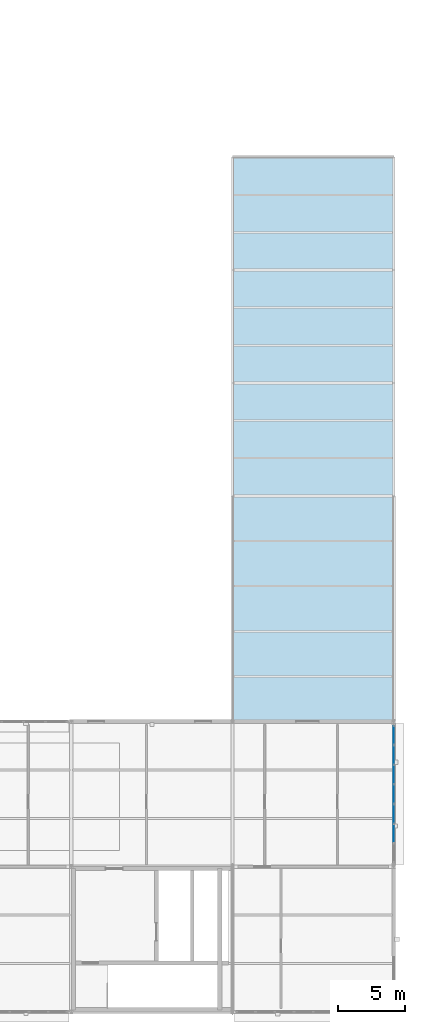
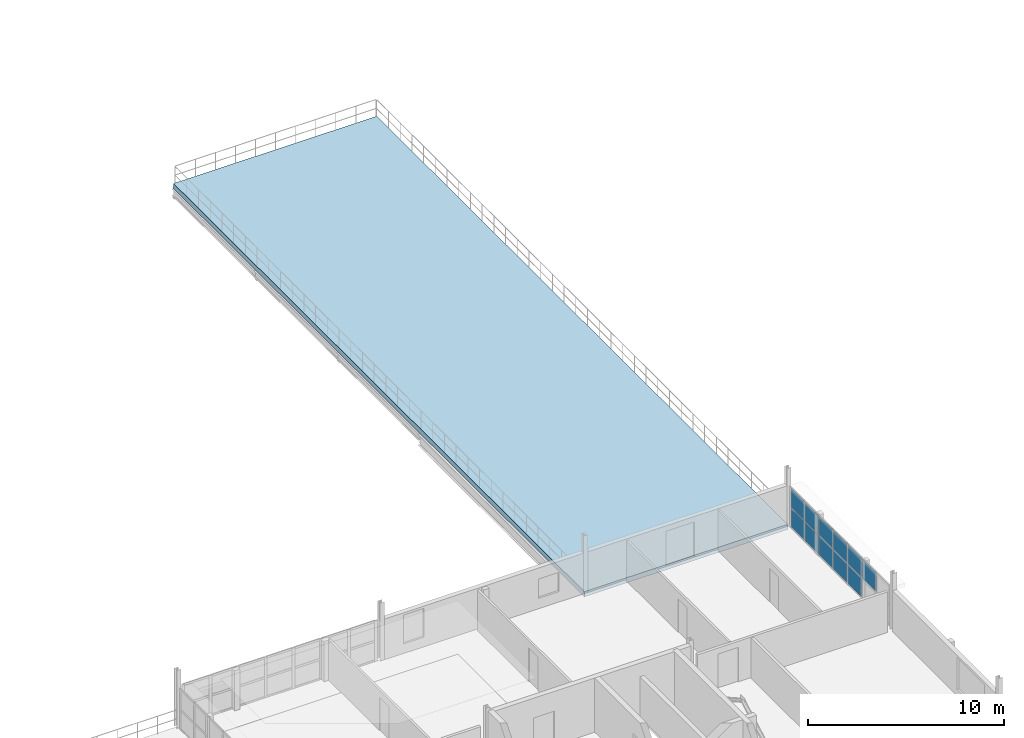
# One storey, part 40 of 62: 11 plates, 1 slab, 1 element without a shape of its own.
"""IFC4 building model written with IfcOpenShell, lengths in metres."""

import ifcopenshell
import ifcopenshell.guid

model = None  # the IFC model being written
_history = None  # IfcOwnerHistory: only IFC2X3 demands one
_inside = {}  # id of a spatial element -> (the spatial element, [elements in it])
_under = {}  # id of a project, library or spatial element -> (it, [spatial elements below it])
_declared = {}  # id of a project -> (the project, [libraries it declares])
_typed = {}  # id of a type object -> (the type object, [elements of that type])
_made_of = {}  # id of a material, layer set ... -> (it, [elements and type objects made of it])


def new_model(schema):
    """Start an empty IFC model of exactly this schema.

    Asked for "IFC4X3", IfcOpenShell would pick the latest addendum, in which some entities
    have other attributes; the version numbers below select the first issue.
    IFC2X3 requires an IfcOwnerHistory on every rooted entity: one is made here for all.
    """
    global model, _history
    if schema == "IFC4X3":
        model = ifcopenshell.file(schema_version=(4, 3, 0, 0))
    else:
        model = ifcopenshell.file(schema=schema)
    _inside.clear()
    _under.clear()
    _declared.clear()
    _typed.clear()
    _made_of.clear()
    _history = None
    if model.schema == "IFC2X3":
        org = make("IfcOrganization", Name="unknown")
        user = make(
            "IfcPersonAndOrganization",
            ThePerson=make("IfcPerson", FamilyName="unknown"),
            TheOrganization=org,
        )
        app = make(
            "IfcApplication",
            ApplicationDeveloper=org,
            Version="unknown",
            ApplicationFullName="unknown",
            ApplicationIdentifier="unknown",
        )
        _history = make(
            "IfcOwnerHistory",
            OwningUser=user,
            OwningApplication=app,
            ChangeAction="ADDED",
            CreationDate=0,
        )
    return model


def make(cls, **values):
    """One entity of the class cls with the attributes given. An attribute that is None is left unset."""
    return model.create_entity(
        cls, **{name: value for name, value in values.items() if value is not None}
    )


def rooted(cls, **values):
    """An entity with a GlobalId (a new one), such as an element, a storey or a relation."""
    return make(cls, GlobalId=ifcopenshell.guid.new(), OwnerHistory=_history, **values)


def si_unit(unit_type, name, prefix=None):
    """IfcSIUnit, for example si_unit("LENGTHUNIT", "METRE", prefix="MILLI")."""
    return make("IfcSIUnit", UnitType=unit_type, Prefix=prefix, Name=name)


def assignment(units):
    """IfcUnitAssignment: the units of a project."""
    return None if units is None else make("IfcUnitAssignment", Units=units)


def point(xyz):
    """IfcCartesianPoint."""
    return None if xyz is None else make("IfcCartesianPoint", Coordinates=xyz)


def direction(xyz):
    """IfcDirection."""
    return None if xyz is None else make("IfcDirection", DirectionRatios=xyz)


def frame(location, z_axis=None, x_axis=None):
    """IfcAxis2Placement3D, a coordinate frame: its origin and axes. An axis left out is left unset."""
    return make(
        "IfcAxis2Placement3D",
        Location=point(location),
        Axis=direction(z_axis),
        RefDirection=direction(x_axis),
    )


def frame_2d(location, x_axis=None):
    """IfcAxis2Placement2D, a coordinate frame in the plane: its origin and x axis."""
    return make(
        "IfcAxis2Placement2D", Location=point(location), RefDirection=direction(x_axis)
    )


def origin():
    """The frame at (0, 0, 0) with its axes left unset."""
    return frame((0.0, 0.0, 0.0))


def origin_2d():
    """The frame at (0, 0) in the plane with its x axis left unset."""
    return frame_2d((0.0, 0.0))


def place(relative_to, where):
    """IfcLocalPlacement: puts the frame where relative to a parent placement (None: the world)."""
    return make(
        "IfcLocalPlacement", PlacementRelTo=relative_to, RelativePlacement=where
    )


def context(
    kind, dimensions, precision=None, world=None, true_north=None, identifier=None
):
    """IfcGeometricRepresentationContext, for example the 3D "Model" context."""
    return make(
        "IfcGeometricRepresentationContext",
        ContextIdentifier=identifier,
        ContextType=kind,
        CoordinateSpaceDimension=dimensions,
        Precision=precision,
        WorldCoordinateSystem=world,
        TrueNorth=true_north,
    )


def subcontext(parent, identifier, kind, view, scale=None):
    """IfcGeometricRepresentationSubContext, for example "Body" below "Model"."""
    return make(
        "IfcGeometricRepresentationSubContext",
        ContextIdentifier=identifier,
        ContextType=kind,
        ParentContext=parent,
        TargetScale=scale,
        TargetView=view,
    )


def project(units=None, contexts=None):
    """IfcProject with its units and contexts."""
    return rooted(
        "IfcProject",
        Name="project",
        RepresentationContexts=contexts,
        UnitsInContext=assignment(units),
    )


def spatial(cls, under=None, at=None, **own):
    """A site, building, storey or space (cls), placed at a placement, below another one or the project."""
    s = rooted(cls, ObjectPlacement=at, **own)
    if under is not None:
        _under.setdefault(under.id(), (under, []))[1].append(s)
    return s


def polyline(points):
    """IfcPolyline through the points."""
    return make("IfcPolyline", Points=[point(p) for p in points])


def profile(cls, at=None, kind="AREA", **sizes):
    """A parametric profile (cls). Its sizes go by their IFC names, for example OverallWidth=200.0."""
    return make(cls, ProfileType=kind, Position=at, **sizes)


def rectangle(**sizes):
    """IfcRectangleProfileDef."""
    return profile("IfcRectangleProfileDef", **sizes)


def outline(outer, holes=None, kind="AREA"):
    """IfcArbitraryClosedProfileDef: a profile drawn as a closed curve; with holes, ...WithVoids."""
    if holes is None:
        return make("IfcArbitraryClosedProfileDef", ProfileType=kind, OuterCurve=outer)
    return make(
        "IfcArbitraryProfileDefWithVoids",
        ProfileType=kind,
        OuterCurve=outer,
        InnerCurves=holes,
    )


def extrude(swept, where, along, depth):
    """IfcExtrudedAreaSolid: the profile swept, set in the frame where, extruded along a direction by depth."""
    return make(
        "IfcExtrudedAreaSolid",
        SweptArea=swept,
        Position=where,
        ExtrudedDirection=direction(along),
        Depth=depth,
    )


def shape(context_of_items, identifier, shape_type, items):
    """IfcShapeRepresentation: the items that make up one representation, for example the "Body"."""
    return make(
        "IfcShapeRepresentation",
        ContextOfItems=context_of_items,
        RepresentationIdentifier=identifier,
        RepresentationType=shape_type,
        Items=items,
    )


def material(Name=None, Category=None):
    """IfcMaterial."""
    return make("IfcMaterial", Name=Name, Category=Category)


def layer(
    of_material, thickness, ventilated=None, Name=None, Category=None, Priority=None
):
    """IfcMaterialLayer: one layer of a wall or slab, of a material (None: an air gap)."""
    return make(
        "IfcMaterialLayer",
        Material=of_material,
        LayerThickness=thickness,
        IsVentilated=ventilated,
        Name=Name,
        Category=Category,
        Priority=Priority,
    )


def layer_set(layers, Name=None):
    """IfcMaterialLayerSet."""
    return make("IfcMaterialLayerSet", MaterialLayers=layers, LayerSetName=Name)


def made_of(thing, what):
    """Note that an element or type object is made of a material, layer set ...; save() writes the relation."""
    if what is not None:
        _made_of.setdefault(what.id(), (what, []))[1].append(thing)
    return thing


def type_object(cls, material=None, **own):
    """A type object (cls), such as IfcWallType, which elements share."""
    return made_of(rooted(cls, **own), material)


def element(
    cls,
    number,
    at=None,
    inside=None,
    cuts=None,
    type_object=None,
    material=None,
    context=None,
    identifier="Body",
    shape_type=None,
    held_by="IfcProductDefinitionShape",
    body=None,
    shapes=None,
    **own,
):
    """One element of the class cls, such as IfcWall. Its Tag is "e" and its number.

    at: its placement. inside: the storey or other place that contains it. cuts: it is an
    opening in that element (IfcRelVoidsElement). A single representation is given by context,
    identifier, shape_type and body (its items); several are given by shapes. held_by: the class
    of the entity that holds the representations. save() writes the other relations.
    """
    e = rooted(cls, Tag="e%d" % number, ObjectPlacement=at, **own)
    if body is not None:
        shapes = [shape(context, identifier, shape_type, body)]
    if shapes is not None:
        e.Representation = make(held_by, Representations=shapes)
    if inside is not None:
        _inside.setdefault(inside.id(), (inside, []))[1].append(e)
    if cuts is not None:
        rooted(
            "IfcRelVoidsElement", RelatingBuildingElement=cuts, RelatedOpeningElement=e
        )
    if type_object is not None:
        _typed.setdefault(type_object.id(), (type_object, []))[1].append(e)
    return made_of(e, material)


def aggregate(whole, parts):
    """IfcRelAggregates: a whole, such as a stair, and the parts it consists of."""
    return rooted("IfcRelAggregates", RelatingObject=whole, RelatedObjects=parts)


def save(model, path):
    """Write the relations noted so far, then the file.

    IfcRelAggregates (storeys below a building ...), IfcRelContainedInSpatialStructure (elements
    in a storey), IfcRelDefinesByType, IfcRelAssociatesMaterial and IfcRelDeclares: one each for
    every whole, place, type object, material and project.
    """
    for whole, parts in _under.values():
        aggregate(whole, parts)
    for where, things in _inside.values():
        rooted(
            "IfcRelContainedInSpatialStructure",
            RelatedElements=things,
            RelatingStructure=where,
        )
    for kind, things in _typed.values():
        rooted("IfcRelDefinesByType", RelatedObjects=things, RelatingType=kind)
    for what, things in _made_of.values():
        rooted("IfcRelAssociatesMaterial", RelatedObjects=things, RelatingMaterial=what)
    for by, libraries in _declared.values():
        rooted("IfcRelDeclares", RelatingContext=by, RelatedDefinitions=libraries)
    model.write(path)


model = new_model("IFC4")

# Units and contexts
model_context = context("Model", 3, precision=1e-05, world=origin(), true_north=direction((0.0, 1.0)))
body_context = subcontext(model_context, "Body", "Model", "MODEL_VIEW")
ifc_project = project(units=[si_unit("LENGTHUNIT", "METRE"), si_unit("AREAUNIT", "SQUARE_METRE"), si_unit("VOLUMEUNIT", "CUBIC_METRE"), si_unit("PLANEANGLEUNIT", "RADIAN"), si_unit("MASSUNIT", "GRAM", prefix="KILO"), si_unit("THERMODYNAMICTEMPERATUREUNIT", "KELVIN"), si_unit("POWERUNIT", "WATT")], contexts=[model_context])

# Site, building, storey
site_placement = place(None, origin())
site = spatial("IfcSite", under=ifc_project, at=site_placement, CompositionType="ELEMENT")
building_placement = place(site_placement, origin())
building = spatial("IfcBuilding", under=site, at=building_placement, Name="Tembeka Court Mobility Hub", CompositionType="ELEMENT")
storey_placement = place(building_placement, frame((0.0, 0.0, 16.199951171875)))
storey = spatial("IfcBuildingStorey", under=building, at=storey_placement, Name="L04", CompositionType="ELEMENT", Elevation=16.199951171875)

# Curtain wall, plates
ifc_material_1 = material(Name="Anodised aluminium 6063-T6", Category="aluminium")
ifc_layer_1 = layer(ifc_material_1, 0.159912109375)
ifc_layer_set_1 = layer_set([ifc_layer_1], Name="Anodised aluminium 6063-T6")
curtain_wall_type = type_object("IfcCurtainWallType", Name="CW-SYS42", PredefinedType="USERDEFINED", material=ifc_layer_set_1)
curtain_wall_placement = place(storey_placement, origin())
curtain_wall = element("IfcCurtainWall", 1, at=curtain_wall_placement, inside=storey, type_object=curtain_wall_type, Name="Unitised curtain wall CW42 (CW-L04-146)", ObjectType="UNITISED GLAZING", PredefinedType="USERDEFINED")
ifc_material_2 = material(Name="Laminated solar-control low-E glass", Category="glass")
ifc_layer_2 = layer(ifc_material_2, 0.028076171875)
ifc_layer_set_2 = layer_set([ifc_layer_2], Name="Laminated solar-control low-E glass")
plate_type = type_object("IfcPlateType", Name="PL-CW01", PredefinedType="CURTAIN_PANEL", material=ifc_layer_set_2)
plate_1_placement = place(storey_placement, frame((176.39990234375, 13.274169921875, 1.300048828125), z_axis=(0.0, 0.0, 1.0), x_axis=(0.0, 1.0, 0.0)))
plate_1 = element("IfcPlate", 2, at=plate_1_placement, type_object=plate_type, Name="CW42 panel 2.2", PredefinedType="CURTAIN_PANEL", context=body_context, shape_type="SweptSolid", body=[
    extrude(rectangle(XDim=1.39794921875, YDim=0.028076171875, at=origin_2d()), origin(), (0.0, 0.0, 1.0), 1.169921875),
])
plate_2_placement = place(storey_placement, frame((176.39990234375, 14.737060546875, 0.065185546875), z_axis=(0.0, 0.0, 1.0), x_axis=(0.0, 1.0, 0.0)))
plate_2 = element("IfcPlate", 3, at=plate_2_placement, type_object=plate_type, Name="CW42 panel 3.1", PredefinedType="CURTAIN_PANEL", context=body_context, shape_type="SweptSolid", body=[
    extrude(rectangle(XDim=1.39794921875, YDim=0.028076171875, at=origin_2d()), origin(), (0.0, 0.0, 1.0), 1.169921875),
])
plate_3_placement = place(storey_placement, frame((176.39990234375, 14.737060546875, 1.300048828125), z_axis=(0.0, 0.0, 1.0), x_axis=(0.0, 1.0, 0.0)))
plate_3 = element("IfcPlate", 4, at=plate_3_placement, type_object=plate_type, Name="CW42 panel 3.2", PredefinedType="CURTAIN_PANEL", context=body_context, shape_type="SweptSolid", body=[
    extrude(rectangle(XDim=1.39794921875, YDim=0.028076171875, at=origin_2d()), origin(), (0.0, 0.0, 1.0), 1.169921875),
])
plate_4_placement = place(storey_placement, frame((176.39990234375, 16.199951171875, 0.065185546875), z_axis=(0.0, 0.0, 1.0), x_axis=(0.0, 1.0, 0.0)))
plate_4 = element("IfcPlate", 5, at=plate_4_placement, type_object=plate_type, Name="CW42 panel 4.1", PredefinedType="CURTAIN_PANEL", context=body_context, shape_type="SweptSolid", body=[
    extrude(rectangle(XDim=1.39794921875, YDim=0.028076171875, at=origin_2d()), origin(), (0.0, 0.0, 1.0), 1.169921875),
])
plate_5_placement = place(storey_placement, frame((176.39990234375, 16.199951171875, 1.300048828125), z_axis=(0.0, 0.0, 1.0), x_axis=(0.0, 1.0, 0.0)))
plate_5 = element("IfcPlate", 6, at=plate_5_placement, type_object=plate_type, Name="CW42 panel 4.2", PredefinedType="CURTAIN_PANEL", context=body_context, shape_type="SweptSolid", body=[
    extrude(rectangle(XDim=1.39794921875, YDim=0.028076171875, at=origin_2d()), origin(), (0.0, 0.0, 1.0), 1.169921875),
])
plate_6_placement = place(storey_placement, frame((176.39990234375, 17.662841796875, 0.065185546875), z_axis=(0.0, 0.0, 1.0), x_axis=(0.0, 1.0, 0.0)))
plate_6 = element("IfcPlate", 7, at=plate_6_placement, type_object=plate_type, Name="CW42 panel 5.1", PredefinedType="CURTAIN_PANEL", context=body_context, shape_type="SweptSolid", body=[
    extrude(rectangle(XDim=1.39794921875, YDim=0.028076171875, at=origin_2d()), origin(), (0.0, 0.0, 1.0), 1.169921875),
])
plate_7_placement = place(storey_placement, frame((176.39990234375, 17.662841796875, 1.300048828125), z_axis=(0.0, 0.0, 1.0), x_axis=(0.0, 1.0, 0.0)))
plate_7 = element("IfcPlate", 8, at=plate_7_placement, type_object=plate_type, Name="CW42 panel 5.2", PredefinedType="CURTAIN_PANEL", context=body_context, shape_type="SweptSolid", body=[
    extrude(rectangle(XDim=1.39794921875, YDim=0.028076171875, at=origin_2d()), origin(), (0.0, 0.0, 1.0), 1.169921875),
])
plate_8_placement = place(storey_placement, frame((176.39990234375, 19.125732421875, 0.065185546875), z_axis=(0.0, 0.0, 1.0), x_axis=(0.0, 1.0, 0.0)))
plate_8 = element("IfcPlate", 9, at=plate_8_placement, type_object=plate_type, Name="CW42 panel 6.1", PredefinedType="CURTAIN_PANEL", context=body_context, shape_type="SweptSolid", body=[
    extrude(rectangle(XDim=1.39794921875, YDim=0.028076171875, at=origin_2d()), origin(), (0.0, 0.0, 1.0), 1.169921875),
])
plate_9_placement = place(storey_placement, frame((176.39990234375, 19.125732421875, 1.300048828125), z_axis=(0.0, 0.0, 1.0), x_axis=(0.0, 1.0, 0.0)))
plate_9 = element("IfcPlate", 10, at=plate_9_placement, type_object=plate_type, Name="CW42 panel 6.2", PredefinedType="CURTAIN_PANEL", context=body_context, shape_type="SweptSolid", body=[
    extrude(rectangle(XDim=1.39794921875, YDim=0.028076171875, at=origin_2d()), origin(), (0.0, 0.0, 1.0), 1.169921875),
])
plate_10_placement = place(storey_placement, frame((176.39990234375, 20.572265625, 0.065185546875), z_axis=(0.0, 0.0, 1.0), x_axis=(0.0, 1.0, 0.0)))
plate_10 = element("IfcPlate", 11, at=plate_10_placement, type_object=plate_type, Name="CW42 panel 7.1", PredefinedType="CURTAIN_PANEL", context=body_context, shape_type="SweptSolid", body=[
    extrude(rectangle(XDim=1.365478515625, YDim=0.028076171875, at=origin_2d()), origin(), (0.0, 0.0, 1.0), 1.169921875),
])
plate_11_placement = place(storey_placement, frame((176.39990234375, 20.572265625, 1.300048828125), z_axis=(0.0, 0.0, 1.0), x_axis=(0.0, 1.0, 0.0)))
plate_11 = element("IfcPlate", 12, at=plate_11_placement, type_object=plate_type, Name="CW42 panel 7.2", PredefinedType="CURTAIN_PANEL", context=body_context, shape_type="SweptSolid", body=[
    extrude(rectangle(XDim=1.365478515625, YDim=0.028076171875, at=origin_2d()), origin(), (0.0, 0.0, 1.0), 1.169921875),
])
aggregate(curtain_wall, [plate_1, plate_2, plate_3, plate_4, plate_5, plate_6, plate_7, plate_8, plate_9, plate_10, plate_11])

# Slab
ifc_material_3 = material(Name="Concrete C40/50", Category="concrete")
ifc_layer_3 = layer(ifc_material_3, 0.320068359375)
ifc_layer_set_3 = layer_set([ifc_layer_3], Name="Concrete C40/50")
slab_type = type_object("IfcSlabType", Name="SL-TR01", PredefinedType="FLOOR", material=ifc_layer_set_3)
slab_placement = place(storey_placement, frame((0.0, 0.0, -0.320068359375)))
element("IfcSlab", 13, at=slab_placement, inside=storey, type_object=slab_type, Name="L04 service wing east planted roof garden", PredefinedType="FLOOR", context=body_context, shape_type="SweptSolid", body=[
    extrude(outline(polyline([(164.39990234375, 21.60009765625), (176.39990234375, 21.60009765625), (176.39990234375, 63.60009765625), (164.39990234375, 63.60009765625), (164.39990234375, 21.60009765625)])), origin(), (0.0, 0.0, 1.0), 0.320068359375),
])

save(model, "model.ifc")
